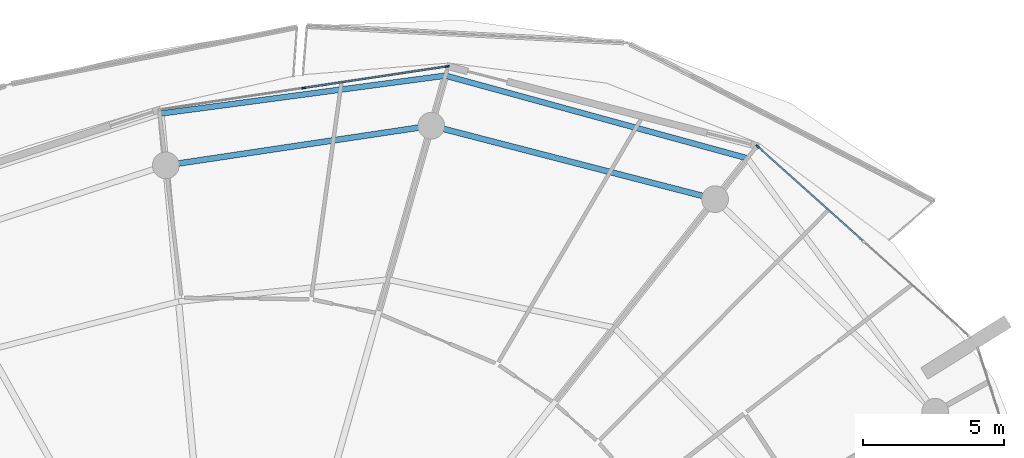
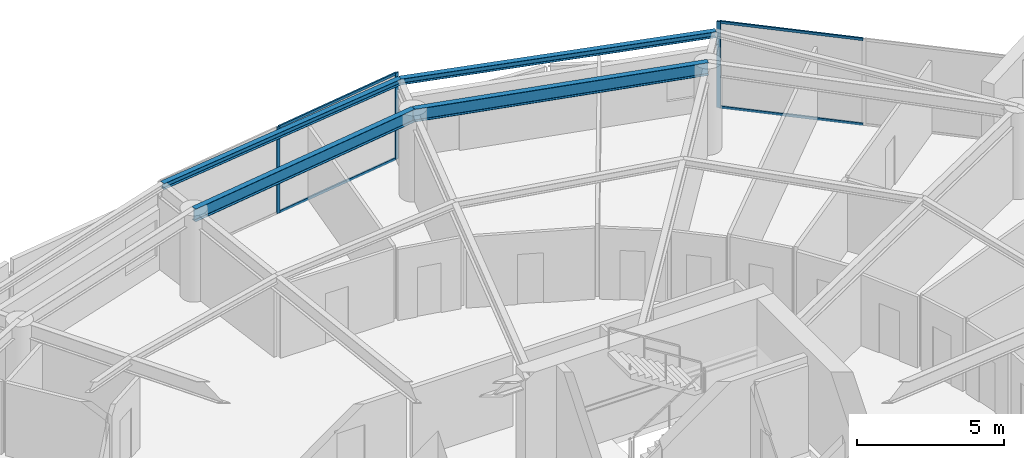
# One storey, part 17 of 31: 7 members, 4 beams, 2 elements without a shape of their own.
"""IFC4 building model written with IfcOpenShell, lengths in metres."""

from ifc_helpers import new_model, si_unit, direction, frame, origin, origin_2d, place, context, subcontext, project, spatial, rectangle, i_section, extrude, material, layer, layer_set, material_profile, profile_set, type_object, element, aggregate, save


model = new_model("IFC4")

# Units and contexts
model_context = context("Model", 3, precision=1e-05, world=origin(), true_north=direction((0.0, 1.0)))
body_context = subcontext(model_context, "Body", "Model", "MODEL_VIEW")
ifc_project = project(units=[si_unit("LENGTHUNIT", "METRE"), si_unit("AREAUNIT", "SQUARE_METRE"), si_unit("VOLUMEUNIT", "CUBIC_METRE"), si_unit("PLANEANGLEUNIT", "RADIAN"), si_unit("MASSUNIT", "GRAM", prefix="KILO")], contexts=[model_context])

# Site, building, storey
site_placement = place(None, origin())
site = spatial("IfcSite", under=ifc_project, at=site_placement, CompositionType="ELEMENT")
building_placement = place(site_placement, origin())
building = spatial("IfcBuilding", under=site, at=building_placement, Name="Kazma Halo Residences", CompositionType="ELEMENT")
storey_placement = place(building_placement, frame((0.0, 0.0, 240.550048828125)))
storey = spatial("IfcBuildingStorey", under=building, at=storey_placement, Name="L60", CompositionType="ELEMENT", Elevation=240.550048828125)

# Beams
ifc_material_1 = material(Name="Steel S355", Category="steel")
ifc_material_profile_1 = material_profile(ifc_material_1, i_section(OverallWidth=0.201904296875, OverallDepth=0.2470703125, WebThickness=0.00732421875, FlangeThickness=0.010986328125, FilletRadius=0.011962890625, at=origin_2d()), Name="W250x49.1")
ifc_profile_set_1 = profile_set([ifc_material_profile_1], Name="Steel S355")
beam_type_1 = type_object("IfcBeamType", Name="BM-BAL-CANT", PredefinedType="BEAM", material=ifc_profile_set_1)
beam_1_placement = place(storey_placement, frame((65.992431640625, 64.823486328125, 3.466552734375), z_axis=(-0.964514665976, 0.264029277006, 0.0), x_axis=(-0.264029277006, -0.964514665976, 0.0)))
element("IfcBeam", 1, at=beam_1_placement, inside=storey, type_object=beam_type_1, Name="L60 wave-balcony tie beam 02", PredefinedType="BEAM", context=body_context, shape_type="SweptSolid", body=[
    extrude(i_section(OverallWidth=0.201904296875, OverallDepth=0.2470703125, WebThickness=0.00732421875, FlangeThickness=0.010986328125, FilletRadius=0.011962890625, at=origin_2d()), origin(), (0.0, 0.0, 1.0), 11.1220703125),
])
beam_2_placement = place(storey_placement, frame((55.26513671875, 67.760009765625, 3.466552734375), z_axis=(-0.991234798397, -0.132111976922, 0.0), x_axis=(0.132111976922, -0.991234798397, 0.0)))
element("IfcBeam", 2, at=beam_2_placement, inside=storey, type_object=beam_type_1, Name="L60 wave-balcony tie beam 03", PredefinedType="BEAM", context=body_context, shape_type="SweptSolid", body=[
    extrude(i_section(OverallWidth=0.201904296875, OverallDepth=0.2470703125, WebThickness=0.00732421875, FlangeThickness=0.010986328125, FilletRadius=0.011962890625, at=origin_2d()), origin(), (0.0, 0.0, 1.0), 10.198974609375),
])
ifc_material_profile_2 = material_profile(ifc_material_1, i_section(OverallWidth=0.208984375, OverallDepth=0.532958984375, WebThickness=0.01025390625, FlangeThickness=0.015625, FilletRadius=0.01611328125, at=origin_2d()), Name="W530x92")
ifc_profile_set_2 = profile_set([ifc_material_profile_2], Name="Steel S355")
beam_type_2 = type_object("IfcBeamType", Name="BM-SPN-W530", PredefinedType="BEAM", material=ifc_profile_set_2)
beam_3_placement = place(storey_placement, frame((64.84716796875, 63.37060546875, 3.323486328125), z_axis=(-0.968126042852, 0.250463500639, 0.0), x_axis=(-0.250463500639, -0.968126042852, 0.0)))
element("IfcBeam", 3, at=beam_3_placement, inside=storey, type_object=beam_type_2, Name="L60 perimeter ring beam 02", PredefinedType="BEAM", context=body_context, shape_type="SweptSolid", body=[
    extrude(i_section(OverallWidth=0.208984375, OverallDepth=0.532958984375, WebThickness=0.01025390625, FlangeThickness=0.015625, FilletRadius=0.01611328125, at=origin_2d()), origin(), (0.0, 0.0, 1.0), 10.416259765625),
])
beam_4_placement = place(storey_placement, frame((54.762939453125, 65.9794921875, 3.323486328125), z_axis=(-0.989035441627, -0.147678350495, 0.0), x_axis=(0.147678350495, -0.989035441627, 0.0)))
element("IfcBeam", 4, at=beam_4_placement, inside=storey, type_object=beam_type_2, Name="L60 perimeter ring beam 03", PredefinedType="BEAM", context=body_context, shape_type="SweptSolid", body=[
    extrude(i_section(OverallWidth=0.208984375, OverallDepth=0.532958984375, WebThickness=0.01025390625, FlangeThickness=0.015625, FilletRadius=0.01611328125, at=origin_2d()), origin(), (0.0, 0.0, 1.0), 9.538818359375),
])

# Curtain wall, member
ifc_material_2 = material(Name="Aluminium AW-6063 T6 and Triple-Silver Low-E Glass", Category="aluminium")
ifc_layer = layer(ifc_material_2, 0.139892578125)
ifc_layer_set = layer_set([ifc_layer], Name="Aluminium AW-6063 T6 and Triple-Silver Low-E Glass")
curtain_wall_type = type_object("IfcCurtainWallType", Name="CW-SYS-5", PredefinedType="NOTDEFINED", material=ifc_layer_set)
curtain_wall_1_placement = place(storey_placement, origin())
curtain_wall_1 = element("IfcCurtainWall", 5, at=curtain_wall_1_placement, inside=storey, type_object=curtain_wall_type, Name="L60 unitised curtain wall B01", PredefinedType="NOTDEFINED")
ifc_material_3 = material(Name="Aluminium AW-6063 T6", Category="aluminium")
ifc_material_profile_3 = material_profile(ifc_material_3, rectangle(XDim=0.06005859375, YDim=0.139892578125, at=origin_2d()), Name="CWM-60x140")
ifc_profile_set_3 = profile_set([ifc_material_profile_3], Name="Aluminium AW-6063 T6")
member_type_1 = type_object("IfcMemberType", Name="CW-SYS-5-MUL", PredefinedType="MULLION", material=ifc_profile_set_3)
member_1_placement = place(storey_placement, frame((66.3603515625, 65.241455078125, 0.0), z_axis=(0.0, 0.0, 1.0), x_axis=(-0.667804826958, -0.744336424671, 0.0)))
member_1 = element("IfcMember", 6, at=member_1_placement, type_object=member_type_1, Name="CWS-5 mullion 3", PredefinedType="MULLION", context=body_context, shape_type="SweptSolid", body=[
    extrude(rectangle(XDim=0.06005859375, YDim=0.139892578125, at=origin_2d()), origin(), (0.0, 0.0, 1.0), 3.58984375),
])

# Curtain wall, members
curtain_wall_2_placement = place(storey_placement, origin())
curtain_wall_2 = element("IfcCurtainWall", 7, at=curtain_wall_2_placement, inside=storey, type_object=curtain_wall_type, Name="L60 unitised curtain wall B03", PredefinedType="NOTDEFINED")
member_2_placement = place(storey_placement, frame((55.328857421875, 68.087158203125, 0.0), z_axis=(0.0, 0.0, 1.0), x_axis=(0.148697080374, -0.988882792998, 0.0)))
member_2 = element("IfcMember", 8, at=member_2_placement, type_object=member_type_1, Name="CWS-5 mullion 1", PredefinedType="MULLION", context=body_context, shape_type="SweptSolid", body=[
    extrude(rectangle(XDim=0.06005859375, YDim=0.139892578125, at=origin_2d()), origin(), (0.0, 0.0, 1.0), 3.58984375),
])
member_3_placement = place(storey_placement, frame((50.2265625, 67.320068359375, 0.0), z_axis=(0.0, 0.0, 1.0), x_axis=(0.148697080374, -0.988882792998, 0.0)))
member_3 = element("IfcMember", 9, at=member_3_placement, type_object=member_type_1, Name="CWS-5 mullion 2", PredefinedType="MULLION", context=body_context, shape_type="SweptSolid", body=[
    extrude(rectangle(XDim=0.06005859375, YDim=0.139892578125, at=origin_2d()), origin(), (0.0, 0.0, 1.0), 3.58984375),
])

# Member
ifc_material_profile_4 = material_profile(ifc_material_3, rectangle(XDim=0.06005859375, YDim=0.10498046875, at=origin_2d()), Name="CWT-60x105")
ifc_profile_set_4 = profile_set([ifc_material_profile_4], Name="Aluminium AW-6063 T6")
member_type_2 = type_object("IfcMemberType", Name="CW-SYS-5-TRN", PredefinedType="USERDEFINED", material=ifc_profile_set_4)
member_4_placement = place(storey_placement, frame((70.099609375, 61.88671875, 0.030029296875), z_axis=(-0.744350700793, 0.667788914425, 0.0), x_axis=(-0.667788914425, -0.744350700793, 0.0)))
member_4 = element("IfcMember", 10, at=member_4_placement, type_object=member_type_2, Name="CWS-5 transom 2.1", ObjectType="TRANSOM", PredefinedType="USERDEFINED", context=body_context, shape_type="SweptSolid", body=[
    extrude(rectangle(XDim=0.06005859375, YDim=0.10498046875, at=origin_2d()), origin(), (0.0, 0.0, 1.0), 4.99365234375),
])

member_5_placement = place(storey_placement, frame((70.099609375, 61.88671875, 3.56005859375), z_axis=(-0.744350700793, 0.667788914425, 0.0), x_axis=(-0.667788914425, -0.744350700793, 0.0)))
member_5 = element("IfcMember", 11, at=member_5_placement, type_object=member_type_2, Name="CWS-5 transom 2.2", ObjectType="TRANSOM", PredefinedType="USERDEFINED", context=body_context, shape_type="SweptSolid", body=[
    extrude(rectangle(XDim=0.06005859375, YDim=0.10498046875, at=origin_2d()), origin(), (0.0, 0.0, 1.0), 4.99365234375),
])

aggregate(curtain_wall_1, [member_1, member_4, member_5])

member_6_placement = place(storey_placement, frame((55.29931640625, 68.082763671875, 0.030029296875), z_axis=(-0.988883972013, -0.148689239341, 0.0), x_axis=(0.148689239341, -0.988883972013, 0.0)))
member_6 = element("IfcMember", 12, at=member_6_placement, type_object=member_type_2, Name="CWS-5 transom 1.1", ObjectType="TRANSOM", PredefinedType="USERDEFINED", context=body_context, shape_type="SweptSolid", body=[
    extrude(rectangle(XDim=0.06005859375, YDim=0.10498046875, at=origin_2d()), origin(), (0.0, 0.0, 1.0), 5.099853515625),
])

member_7_placement = place(storey_placement, frame((55.29931640625, 68.082763671875, 3.56005859375), z_axis=(-0.988883972013, -0.148689239341, 0.0), x_axis=(0.148689239341, -0.988883972013, 0.0)))
member_7 = element("IfcMember", 13, at=member_7_placement, type_object=member_type_2, Name="CWS-5 transom 1.2", ObjectType="TRANSOM", PredefinedType="USERDEFINED", context=body_context, shape_type="SweptSolid", body=[
    extrude(rectangle(XDim=0.06005859375, YDim=0.10498046875, at=origin_2d()), origin(), (0.0, 0.0, 1.0), 5.099853515625),
])

aggregate(curtain_wall_2, [member_2, member_3, member_6, member_7])

save(model, "model.ifc")
